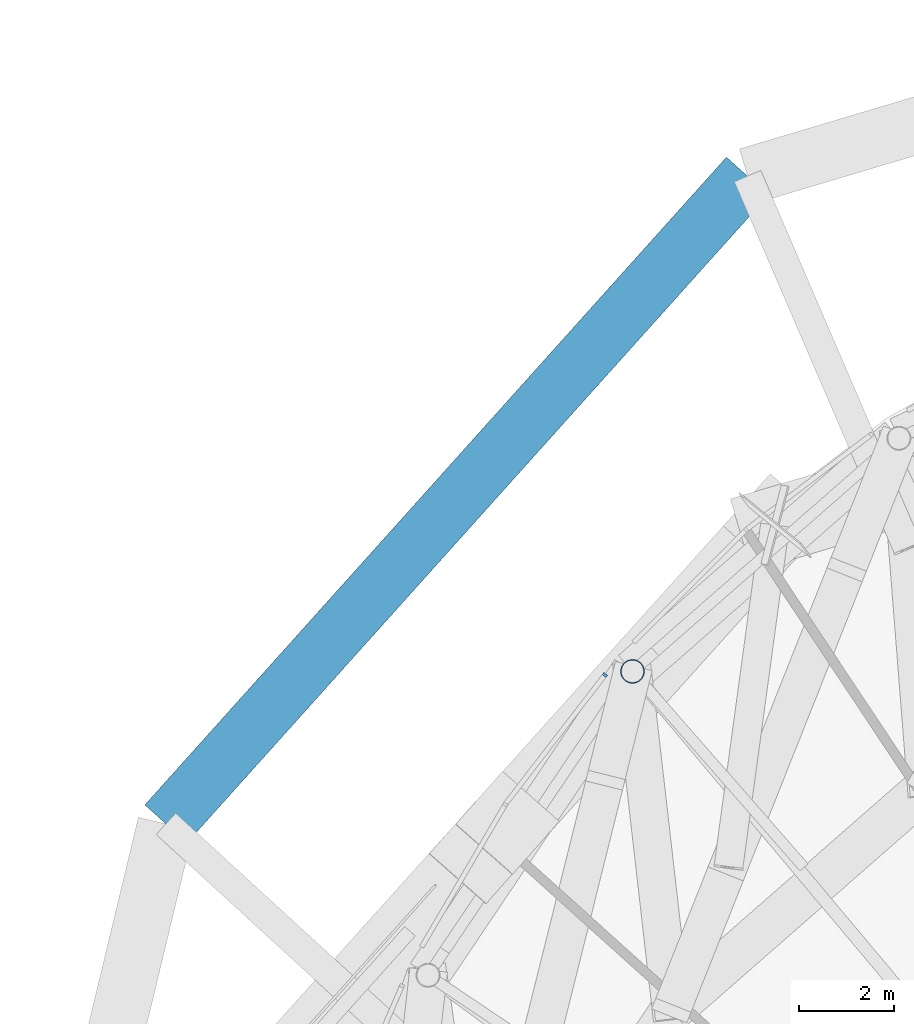
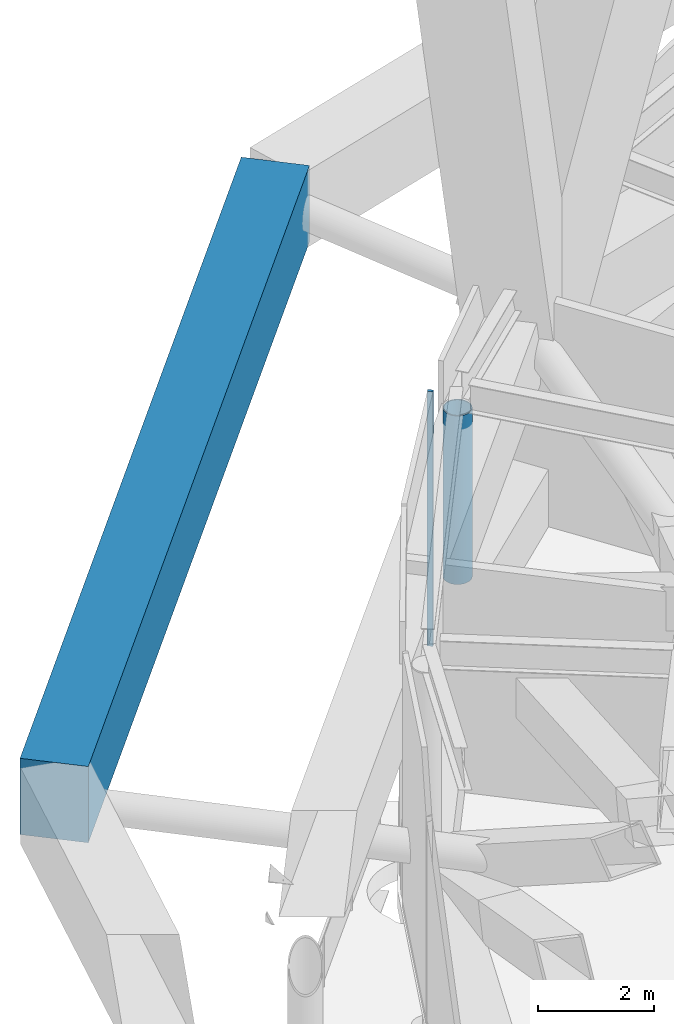
# One storey, part 39 of 65: 3 members, 1 element without a shape of its own.
"""IFC4 building model written with IfcOpenShell, lengths in metres."""

from ifc_helpers import new_model, si_unit, direction, frame, origin, origin_2d, place, context, subcontext, project, spatial, rectangle, hollow_circle, extrude, material, layer, layer_set, material_profile, profile_set, type_object, element, aggregate, save


model = new_model("IFC4")

# Units and contexts
model_context = context("Model", 3, precision=1e-05, world=origin(), true_north=direction((0.0, 1.0)))
body_context = subcontext(model_context, "Body", "Model", "MODEL_VIEW")
ifc_project = project(units=[si_unit("LENGTHUNIT", "METRE"), si_unit("AREAUNIT", "SQUARE_METRE"), si_unit("VOLUMEUNIT", "CUBIC_METRE"), si_unit("PLANEANGLEUNIT", "RADIAN"), si_unit("MASSUNIT", "GRAM", prefix="KILO")], contexts=[model_context])

# Site, building, storey
site_placement = place(None, origin())
site = spatial("IfcSite", under=ifc_project, at=site_placement, CompositionType="ELEMENT")
building_placement = place(site_placement, origin())
building = spatial("IfcBuilding", under=site, at=building_placement, Name="Nagisa Residences", CompositionType="ELEMENT")
storey_placement = place(building_placement, frame((0.0, 0.0, 114.0)))
storey = spatial("IfcBuildingStorey", under=building, at=storey_placement, Name="L28", CompositionType="ELEMENT", Elevation=114.0)

# Curtain wall, member
ifc_material_1 = material(Name="Aluminium curtain wall system", Category="aluminium")
ifc_layer = layer(ifc_material_1, 0.159912109375)
ifc_layer_set = layer_set([ifc_layer], Name="CW5 CURTAIN WALL")
curtain_wall_type = type_object("IfcCurtainWallType", Name="CW5 CURTAIN WALL", PredefinedType="NOTDEFINED", material=ifc_layer_set)
curtain_wall_placement = place(storey_placement, origin())
curtain_wall = element("IfcCurtainWall", 1, at=curtain_wall_placement, inside=storey, type_object=curtain_wall_type, Name="cw:CW5:L28:18", PredefinedType="NOTDEFINED")
ifc_material_2 = material(Name="Aluminium", Category="aluminium")
ifc_material_profile_1 = material_profile(ifc_material_2, rectangle(XDim=0.10009765625, YDim=0.06005859375, at=origin_2d()), Name="CW5 MULLION 100x60")
ifc_profile_set_1 = profile_set([ifc_material_profile_1], Name="Aluminium")
member_type_1 = type_object("IfcMemberType", Name="CW5 MULLION 100x60", PredefinedType="MULLION", material=ifc_profile_set_1)
member_1_placement = place(storey_placement, frame((-21.613037109375, 24.97314453125, 0.0), z_axis=(0.0, 0.0, 1.0), x_axis=(0.792070340816, -0.610429828235, 0.0)))
member_1 = element("IfcMember", 2, at=member_1_placement, type_object=member_type_1, Name="CW5 mullion", PredefinedType="MULLION", context=body_context, shape_type="SweptSolid", body=[
    extrude(rectangle(XDim=0.10009765625, YDim=0.06005859375, at=origin_2d()), origin(), (0.0, 0.0, 1.0), 5.340087890625),
])
aggregate(curtain_wall, [member_1])

# Members
ifc_material_3 = material(Name="Concrete C80", Category="concrete")
ifc_material_profile_2 = material_profile(ifc_material_3, rectangle(XDim=1.199951171875, YDim=1.60009765625, at=origin_2d()), Name="C80 1200x1600")
ifc_profile_set_2 = profile_set([ifc_material_profile_2], Name="Concrete C80")
member_type_2 = type_object("IfcMemberType", Name="Cage ring 2 C80 1200x1600", PredefinedType="CHORD", material=ifc_profile_set_2)
member_2_placement = place(storey_placement, frame((-18.597412109375, 35.52001953125, 1.89990234375), z_axis=(-0.668102443775, -0.744069300954, 0.0), x_axis=(0.744069300954, -0.668102443775, 0.0)))
element("IfcMember", 3, at=member_2_placement, inside=storey, type_object=member_type_2, Name="beam:L28:cg2r105", PredefinedType="CHORD", context=body_context, shape_type="SweptSolid", body=[
    extrude(rectangle(XDim=1.199951171875, YDim=1.60009765625, at=origin_2d()), origin(), (0.0, 0.0, 1.0), 18.4052734375),
])
ifc_material_4 = material(Name="Steel ASTM A572 Gr 65", Category="steel")
ifc_material_profile_3 = material_profile(ifc_material_4, hollow_circle(Radius=0.25390625, WallThickness=0.02001953125, at=origin_2d()), Name="CHS 508x20")
ifc_profile_set_3 = profile_set([ifc_material_profile_3], Name="Steel ASTM A572 Gr 65")
member_type_3 = type_object("IfcMemberType", Name="Garden edge post CHS 508x20", PredefinedType="POST", material=ifc_profile_set_3)
member_3_placement = place(storey_placement, frame((-21.02978515625, 25.048583984375, 1.199951171875), z_axis=(0.0, 0.0, 1.0), x_axis=(1.0, 0.0, 0.0)))
element("IfcMember", 4, at=member_3_placement, inside=storey, type_object=member_type_3, Name="mem:L28:gp210", PredefinedType="POST", context=body_context, shape_type="SweptSolid", body=[
    extrude(hollow_circle(Radius=0.25390625, WallThickness=0.02001953125, at=origin_2d()), origin(), (0.0, 0.0, 1.0), 3.537109375),
])

save(model, "model.ifc")
